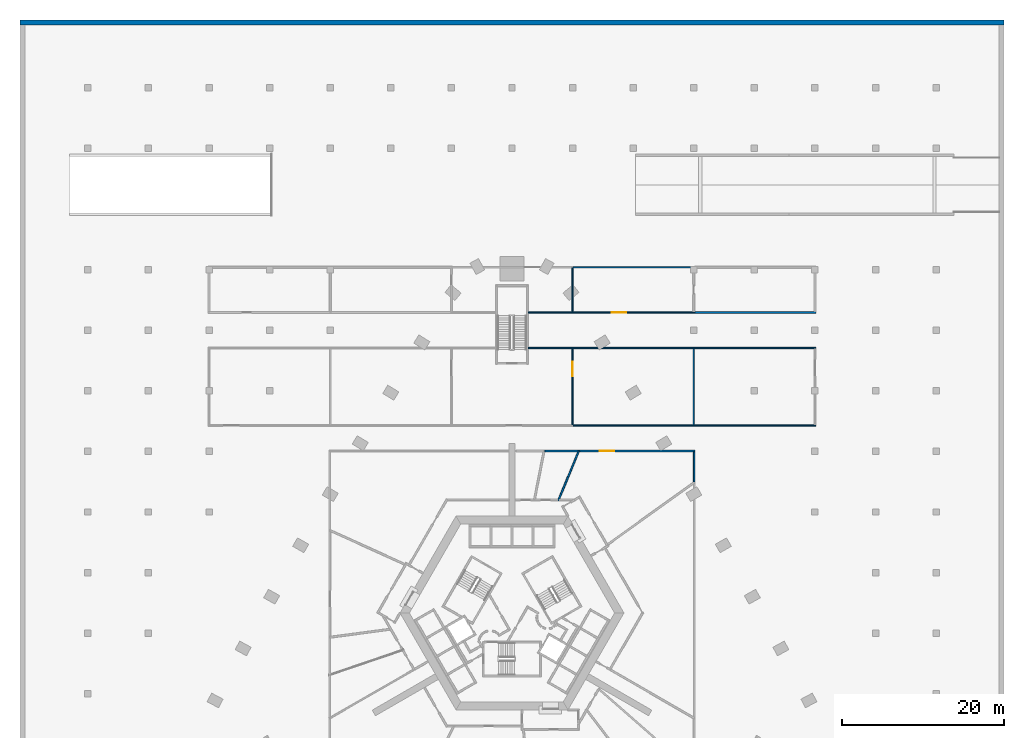
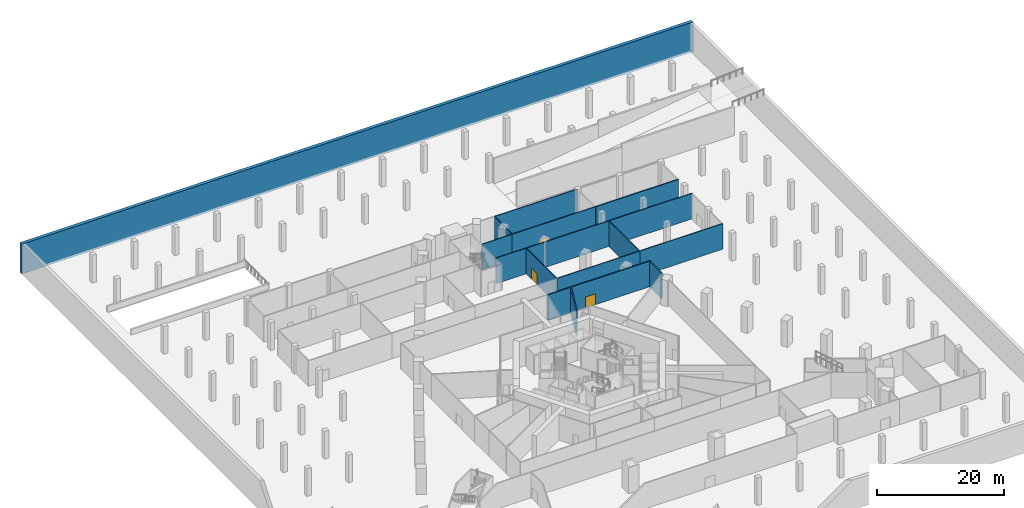
# One storey, part 12 of 20: 17 walls, 3 doors, 3 openings.
"""IFC4 building model written with IfcOpenShell, lengths in metres."""

import ifcopenshell
import ifcopenshell.guid

model = None  # the IFC model being written
_history = None  # IfcOwnerHistory: only IFC2X3 demands one
_inside = {}  # id of a spatial element -> (the spatial element, [elements in it])
_under = {}  # id of a project, library or spatial element -> (it, [spatial elements below it])
_declared = {}  # id of a project -> (the project, [libraries it declares])
_typed = {}  # id of a type object -> (the type object, [elements of that type])
_made_of = {}  # id of a material, layer set ... -> (it, [elements and type objects made of it])


def new_model(schema):
    """Start an empty IFC model of exactly this schema.

    Asked for "IFC4X3", IfcOpenShell would pick the latest addendum, in which some entities
    have other attributes; the version numbers below select the first issue.
    IFC2X3 requires an IfcOwnerHistory on every rooted entity: one is made here for all.
    """
    global model, _history
    if schema == "IFC4X3":
        model = ifcopenshell.file(schema_version=(4, 3, 0, 0))
    else:
        model = ifcopenshell.file(schema=schema)
    _inside.clear()
    _under.clear()
    _declared.clear()
    _typed.clear()
    _made_of.clear()
    _history = None
    if model.schema == "IFC2X3":
        org = make("IfcOrganization", Name="unknown")
        user = make(
            "IfcPersonAndOrganization",
            ThePerson=make("IfcPerson", FamilyName="unknown"),
            TheOrganization=org,
        )
        app = make(
            "IfcApplication",
            ApplicationDeveloper=org,
            Version="unknown",
            ApplicationFullName="unknown",
            ApplicationIdentifier="unknown",
        )
        _history = make(
            "IfcOwnerHistory",
            OwningUser=user,
            OwningApplication=app,
            ChangeAction="ADDED",
            CreationDate=0,
        )
    return model


def make(cls, **values):
    """One entity of the class cls with the attributes given. An attribute that is None is left unset."""
    return model.create_entity(
        cls, **{name: value for name, value in values.items() if value is not None}
    )


def rooted(cls, **values):
    """An entity with a GlobalId (a new one), such as an element, a storey or a relation."""
    return make(cls, GlobalId=ifcopenshell.guid.new(), OwnerHistory=_history, **values)


def si_unit(unit_type, name, prefix=None):
    """IfcSIUnit, for example si_unit("LENGTHUNIT", "METRE", prefix="MILLI")."""
    return make("IfcSIUnit", UnitType=unit_type, Prefix=prefix, Name=name)


def assignment(units):
    """IfcUnitAssignment: the units of a project."""
    return None if units is None else make("IfcUnitAssignment", Units=units)


def point(xyz):
    """IfcCartesianPoint."""
    return None if xyz is None else make("IfcCartesianPoint", Coordinates=xyz)


def direction(xyz):
    """IfcDirection."""
    return None if xyz is None else make("IfcDirection", DirectionRatios=xyz)


def frame(location, z_axis=None, x_axis=None):
    """IfcAxis2Placement3D, a coordinate frame: its origin and axes. An axis left out is left unset."""
    return make(
        "IfcAxis2Placement3D",
        Location=point(location),
        Axis=direction(z_axis),
        RefDirection=direction(x_axis),
    )


def frame_2d(location, x_axis=None):
    """IfcAxis2Placement2D, a coordinate frame in the plane: its origin and x axis."""
    return make(
        "IfcAxis2Placement2D", Location=point(location), RefDirection=direction(x_axis)
    )


def origin():
    """The frame at (0, 0, 0) with its axes left unset."""
    return frame((0.0, 0.0, 0.0))


def place(relative_to, where):
    """IfcLocalPlacement: puts the frame where relative to a parent placement (None: the world)."""
    return make(
        "IfcLocalPlacement", PlacementRelTo=relative_to, RelativePlacement=where
    )


def context(
    kind, dimensions, precision=None, world=None, true_north=None, identifier=None
):
    """IfcGeometricRepresentationContext, for example the 3D "Model" context."""
    return make(
        "IfcGeometricRepresentationContext",
        ContextIdentifier=identifier,
        ContextType=kind,
        CoordinateSpaceDimension=dimensions,
        Precision=precision,
        WorldCoordinateSystem=world,
        TrueNorth=true_north,
    )


def subcontext(parent, identifier, kind, view, scale=None):
    """IfcGeometricRepresentationSubContext, for example "Body" below "Model"."""
    return make(
        "IfcGeometricRepresentationSubContext",
        ContextIdentifier=identifier,
        ContextType=kind,
        ParentContext=parent,
        TargetScale=scale,
        TargetView=view,
    )


def project(units=None, contexts=None):
    """IfcProject with its units and contexts."""
    return rooted(
        "IfcProject",
        Name="project",
        RepresentationContexts=contexts,
        UnitsInContext=assignment(units),
    )


def spatial(cls, under=None, at=None, **own):
    """A site, building, storey or space (cls), placed at a placement, below another one or the project."""
    s = rooted(cls, ObjectPlacement=at, **own)
    if under is not None:
        _under.setdefault(under.id(), (under, []))[1].append(s)
    return s


def polyline(points):
    """IfcPolyline through the points."""
    return make("IfcPolyline", Points=[point(p) for p in points])


def profile(cls, at=None, kind="AREA", **sizes):
    """A parametric profile (cls). Its sizes go by their IFC names, for example OverallWidth=200.0."""
    return make(cls, ProfileType=kind, Position=at, **sizes)


def rectangle(**sizes):
    """IfcRectangleProfileDef."""
    return profile("IfcRectangleProfileDef", **sizes)


def outline(outer, holes=None, kind="AREA"):
    """IfcArbitraryClosedProfileDef: a profile drawn as a closed curve; with holes, ...WithVoids."""
    if holes is None:
        return make("IfcArbitraryClosedProfileDef", ProfileType=kind, OuterCurve=outer)
    return make(
        "IfcArbitraryProfileDefWithVoids",
        ProfileType=kind,
        OuterCurve=outer,
        InnerCurves=holes,
    )


def extrude(swept, where, along, depth):
    """IfcExtrudedAreaSolid: the profile swept, set in the frame where, extruded along a direction by depth."""
    return make(
        "IfcExtrudedAreaSolid",
        SweptArea=swept,
        Position=where,
        ExtrudedDirection=direction(along),
        Depth=depth,
    )


def shape(context_of_items, identifier, shape_type, items):
    """IfcShapeRepresentation: the items that make up one representation, for example the "Body"."""
    return make(
        "IfcShapeRepresentation",
        ContextOfItems=context_of_items,
        RepresentationIdentifier=identifier,
        RepresentationType=shape_type,
        Items=items,
    )


def material(Name=None, Category=None):
    """IfcMaterial."""
    return make("IfcMaterial", Name=Name, Category=Category)


def layer(
    of_material, thickness, ventilated=None, Name=None, Category=None, Priority=None
):
    """IfcMaterialLayer: one layer of a wall or slab, of a material (None: an air gap)."""
    return make(
        "IfcMaterialLayer",
        Material=of_material,
        LayerThickness=thickness,
        IsVentilated=ventilated,
        Name=Name,
        Category=Category,
        Priority=Priority,
    )


def layer_set(layers, Name=None):
    """IfcMaterialLayerSet."""
    return make("IfcMaterialLayerSet", MaterialLayers=layers, LayerSetName=Name)


def made_of(thing, what):
    """Note that an element or type object is made of a material, layer set ...; save() writes the relation."""
    if what is not None:
        _made_of.setdefault(what.id(), (what, []))[1].append(thing)
    return thing


def type_object(cls, material=None, **own):
    """A type object (cls), such as IfcWallType, which elements share."""
    return made_of(rooted(cls, **own), material)


def element(
    cls,
    number,
    at=None,
    inside=None,
    cuts=None,
    type_object=None,
    material=None,
    context=None,
    identifier="Body",
    shape_type=None,
    held_by="IfcProductDefinitionShape",
    body=None,
    shapes=None,
    **own,
):
    """One element of the class cls, such as IfcWall. Its Tag is "e" and its number.

    at: its placement. inside: the storey or other place that contains it. cuts: it is an
    opening in that element (IfcRelVoidsElement). A single representation is given by context,
    identifier, shape_type and body (its items); several are given by shapes. held_by: the class
    of the entity that holds the representations. save() writes the other relations.
    """
    e = rooted(cls, Tag="e%d" % number, ObjectPlacement=at, **own)
    if body is not None:
        shapes = [shape(context, identifier, shape_type, body)]
    if shapes is not None:
        e.Representation = make(held_by, Representations=shapes)
    if inside is not None:
        _inside.setdefault(inside.id(), (inside, []))[1].append(e)
    if cuts is not None:
        rooted(
            "IfcRelVoidsElement", RelatingBuildingElement=cuts, RelatedOpeningElement=e
        )
    if type_object is not None:
        _typed.setdefault(type_object.id(), (type_object, []))[1].append(e)
    return made_of(e, material)


def fill(opening, filler):
    """IfcRelFillsElement: the door or window that sits in an opening."""
    return rooted(
        "IfcRelFillsElement",
        RelatingOpeningElement=opening,
        RelatedBuildingElement=filler,
    )


def aggregate(whole, parts):
    """IfcRelAggregates: a whole, such as a stair, and the parts it consists of."""
    return rooted("IfcRelAggregates", RelatingObject=whole, RelatedObjects=parts)


def save(model, path):
    """Write the relations noted so far, then the file.

    IfcRelAggregates (storeys below a building ...), IfcRelContainedInSpatialStructure (elements
    in a storey), IfcRelDefinesByType, IfcRelAssociatesMaterial and IfcRelDeclares: one each for
    every whole, place, type object, material and project.
    """
    for whole, parts in _under.values():
        aggregate(whole, parts)
    for where, things in _inside.values():
        rooted(
            "IfcRelContainedInSpatialStructure",
            RelatedElements=things,
            RelatingStructure=where,
        )
    for kind, things in _typed.values():
        rooted("IfcRelDefinesByType", RelatedObjects=things, RelatingType=kind)
    for what, things in _made_of.values():
        rooted("IfcRelAssociatesMaterial", RelatedObjects=things, RelatingMaterial=what)
    for by, libraries in _declared.values():
        rooted("IfcRelDeclares", RelatingContext=by, RelatedDefinitions=libraries)
    model.write(path)


model = new_model("IFC4")

# Units and contexts
model_context = context("Model", 3, precision=1e-05, world=origin(), true_north=direction((0.0, 1.0)))
body_context = subcontext(model_context, "Body", "Model", "MODEL_VIEW")
ifc_project = project(units=[si_unit("LENGTHUNIT", "METRE"), si_unit("AREAUNIT", "SQUARE_METRE"), si_unit("VOLUMEUNIT", "CUBIC_METRE"), si_unit("PLANEANGLEUNIT", "RADIAN"), si_unit("MASSUNIT", "GRAM", prefix="KILO")], contexts=[model_context])

# Site, building, storey
site_placement = place(None, origin())
site = spatial("IfcSite", under=ifc_project, at=site_placement, CompositionType="ELEMENT")
building_placement = place(site_placement, origin())
building = spatial("IfcBuilding", under=site, at=building_placement, Name="Entoto Arch Interchange Tower", CompositionType="ELEMENT")
storey_placement = place(building_placement, frame((0.0, 0.0, -5.5)))
storey = spatial("IfcBuildingStorey", under=building, at=storey_placement, Name="B1", CompositionType="ELEMENT", Elevation=-5.5)

# Walls
ifc_material_1 = material(Name="Concrete C40/50", Category="concrete")
ifc_layer_1 = layer(ifc_material_1, 0.60009765625)
ifc_layer_set_1 = layer_set([ifc_layer_1], Name="Concrete C40/50")
wall_type_1 = type_object("IfcWallType", Name="Basement retaining wall 600 C40/50", PredefinedType="SOLIDWALL", material=ifc_layer_set_1)
wall_1_placement = place(storey_placement, frame((0.0, 0.0, -0.419921875)))
element("IfcWall", 1, at=wall_1_placement, inside=storey, type_object=wall_type_1, Name="Retaining wall B1", PredefinedType="SOLIDWALL", context=body_context, shape_type="SweptSolid", body=[
    extrude(outline(polyline([(60.89990234375, 75.300048828125), (60.89990234375, 75.89990234375), (-60.89990234375, 75.89990234375), (-60.89990234375, 75.300048828125), (60.89990234375, 75.300048828125)])), origin(), (0.0, 0.0, 1.0), 5.719970703125),
])
ifc_material_2 = material(Name="Gypsum board partition on steel studs", Category="steel")
ifc_layer_2 = layer(ifc_material_2, 0.14990234375)
ifc_layer_set_2 = layer_set([ifc_layer_2], Name="Gypsum board partition on steel studs")
wall_type_2 = type_object("IfcWallType", Name="PARTITION 150", PredefinedType="PARTITIONING", material=ifc_layer_set_2)
wall_2_placement = place(storey_placement, frame((2.0, 35.300048828125, 0.0), z_axis=(0.0, 0.0, 1.0), x_axis=(1.0, 0.0, 0.0)))
element("IfcWall", 2, at=wall_2_placement, inside=storey, type_object=wall_type_2, Name="wall:B1:p083", PredefinedType="PARTITIONING", context=body_context, shape_type="SweptSolid", body=[
    extrude(rectangle(XDim=5.425048828125, YDim=0.14990234375, at=frame_2d((2.71240234375, 0.0))), origin(), (0.0, 0.0, 1.0), 4.89990234375),
])
wall_3_placement = place(storey_placement, frame((7.425048828125, 35.300048828125, 0.0), z_axis=(0.0, 0.0, 1.0), x_axis=(1.0, 0.0, 0.0)))
element("IfcWall", 3, at=wall_3_placement, inside=storey, type_object=wall_type_2, Name="wall:B1:p085", PredefinedType="PARTITIONING", context=body_context, shape_type="SweptSolid", body=[
    extrude(rectangle(XDim=15.14990234375, YDim=0.14990234375, at=frame_2d((7.574951171875, 0.0))), origin(), (0.0, 0.0, 1.0), 4.89990234375),
])
for number, where, z_axis, x_axis, name in (
    (4, (22.574951171875, 25.699951171875, 0.0), (0.0, 0.0, 1.0), (-1.0, 0.0, 0.0), "wall:B1:p086"),
    (5, (22.574951171875, 35.300048828125, 0.0), (0.0, 0.0, 1.0), (1.0, 0.0, 0.0), "wall:B1:p087"),
    (6, (37.574951171875, 25.699951171875, 0.0), (0.0, 0.0, 1.0), (-1.0, 0.0, 0.0), "wall:B1:p089"),
):
    element("IfcWall", number, at=place(storey_placement, frame(where, z_axis=z_axis, x_axis=x_axis)), inside=storey, type_object=wall_type_2, Name=name, PredefinedType="PARTITIONING", context=body_context, shape_type="SweptSolid", body=[
        extrude(rectangle(XDim=15.0, YDim=0.14990234375, at=frame_2d((7.5, 0.0))), origin(), (0.0, 0.0, 1.0), 4.89990234375),
    ])
wall_4_placement = place(storey_placement, frame((7.425048828125, 39.699951171875, 0.0), z_axis=(0.0, 0.0, 1.0), x_axis=(-1.0, 0.0, 0.0)))
element("IfcWall", 7, at=wall_4_placement, inside=storey, type_object=wall_type_2, Name="wall:B1:p096", PredefinedType="PARTITIONING", context=body_context, shape_type="SweptSolid", body=[
    extrude(rectangle(XDim=5.425048828125, YDim=0.14990234375, at=frame_2d((2.71240234375, 0.0))), origin(), (0.0, 0.0, 1.0), 4.89990234375),
])
wall_5_placement = place(storey_placement, frame((7.574951171875, 45.300048828125, 0.0), z_axis=(0.0, 0.0, 1.0), x_axis=(1.0, 0.0, 0.0)))
element("IfcWall", 8, at=wall_5_placement, inside=storey, type_object=wall_type_2, Name="wall:B1:p098", PredefinedType="PARTITIONING", context=body_context, shape_type="SweptSolid", body=[
    extrude(rectangle(XDim=15.025146484375, YDim=0.14990234375, at=frame_2d((7.5126953125, 0.0))), origin(), (0.0, 0.0, 1.0), 4.89990234375),
])

# Wall, opening, door
wall_6_placement = place(storey_placement, frame((22.60009765625, 39.699951171875, 0.0), z_axis=(0.0, 0.0, 1.0), x_axis=(-1.0, 0.0, 0.0)))
wall_6 = element("IfcWall", 9, at=wall_6_placement, inside=storey, type_object=wall_type_2, Name="wall:B1:p099", PredefinedType="PARTITIONING", context=body_context, shape_type="SweptSolid", body=[
    extrude(rectangle(XDim=15.175048828125, YDim=0.14990234375, at=frame_2d((7.58740234375, 0.0))), origin(), (0.0, 0.0, 1.0), 4.89990234375),
])
opening_1_placement = place(wall_6_placement, frame((8.429931640625, 0.0, 0.0)))
opening_1 = element("IfcOpeningElement", 10, at=opening_1_placement, cuts=wall_6, Name="Opening B1-D37", PredefinedType="OPENING", context=body_context, shape_type="SweptSolid", body=[
    extrude(rectangle(XDim=1.800048828125, YDim=2.10009765625, at=frame_2d((0.89990234375, 1.050048828125))), frame((0.0, 0.0849609375, 0.0), z_axis=(0.0, -1.0, 0.0), x_axis=(1.0, 0.0, 0.0)), (0.0, 0.0, 1.0), 0.169921875),
])
ifc_material_3 = material(Name="Timber door leaf in Steel S235 frame", Category="steel")
door_type = type_object("IfcDoorType", Name="DOOR DD-18 1800x2100", OperationType="DOUBLE_DOOR_SINGLE_SWING", PredefinedType="DOOR", material=ifc_material_3)
door_1_placement = place(opening_1_placement, origin())
door_1 = element("IfcDoor", 11, at=door_1_placement, inside=storey, type_object=door_type, Name="door:B1:37", OperationType="DOUBLE_DOOR_SINGLE_SWING", OverallHeight=2.10009765625, OverallWidth=1.800048828125, PredefinedType="DOOR", context=body_context, shape_type="SweptSolid", body=[
    extrude(rectangle(XDim=1.800048828125, YDim=2.10009765625, at=frame_2d((0.89990234375, 1.050048828125))), frame((0.0, 0.02490234375, 0.0), z_axis=(0.0, -1.0, 0.0), x_axis=(1.0, 0.0, 0.0)), (0.0, 0.0, 1.0), 0.050048828125),
])
fill(opening_1, door_1)

wall_7_placement = place(storey_placement, frame((7.5, 35.300048828125, 0.0), z_axis=(0.0, 0.0, 1.0), x_axis=(0.0, -1.0, 0.0)))
wall_7 = element("IfcWall", 12, at=wall_7_placement, inside=storey, type_object=wall_type_2, Name="wall:B1:p125", PredefinedType="PARTITIONING", context=body_context, shape_type="SweptSolid", body=[
    extrude(rectangle(XDim=9.525146484375, YDim=0.14990234375, at=frame_2d((4.7626953125, 0.0))), origin(), (0.0, 0.0, 1.0), 4.89990234375),
])
opening_2_placement = place(wall_7_placement, frame((1.719970703125, 0.0, 0.0)))
opening_2 = element("IfcOpeningElement", 13, at=opening_2_placement, cuts=wall_7, Name="Opening B1-D32", PredefinedType="OPENING", context=body_context, shape_type="SweptSolid", body=[
    extrude(rectangle(XDim=1.800048828125, YDim=2.10009765625, at=frame_2d((0.89990234375, 1.050048828125))), frame((0.0, 0.0849609375, 0.0), z_axis=(0.0, -1.0, 0.0), x_axis=(1.0, 0.0, 0.0)), (0.0, 0.0, 1.0), 0.169921875),
])
door_2_placement = place(opening_2_placement, origin())
door_2 = element("IfcDoor", 14, at=door_2_placement, inside=storey, type_object=door_type, Name="door:B1:32", OperationType="DOUBLE_DOOR_SINGLE_SWING", OverallHeight=2.10009765625, OverallWidth=1.800048828125, PredefinedType="DOOR", context=body_context, shape_type="SweptSolid", body=[
    extrude(rectangle(XDim=1.800048828125, YDim=2.10009765625, at=frame_2d((0.89990234375, 1.050048828125))), frame((0.0, 0.02490234375, 0.0), z_axis=(0.0, -1.0, 0.0), x_axis=(1.0, 0.0, 0.0)), (0.0, 0.0, 1.0), 0.050048828125),
])
fill(opening_2, door_2)

# Walls
wall_8_placement = place(storey_placement, frame((22.5, 35.22509765625, 0.0), z_axis=(0.0, 0.0, 1.0), x_axis=(0.0, -1.0, 0.0)))
element("IfcWall", 15, at=wall_8_placement, inside=storey, type_object=wall_type_2, Name="wall:B1:p126", PredefinedType="PARTITIONING", context=body_context, shape_type="SweptSolid", body=[
    extrude(rectangle(XDim=9.4501953125, YDim=0.14990234375, at=frame_2d((4.72509765625, 0.0))), origin(), (0.0, 0.0, 1.0), 4.89990234375),
])
wall_9_placement = place(storey_placement, frame((7.5, 45.22509765625, 0.0), z_axis=(0.0, 0.0, 1.0), x_axis=(0.0, -1.0, 0.0)))
element("IfcWall", 16, at=wall_9_placement, inside=storey, type_object=wall_type_2, Name="wall:B1:p129", PredefinedType="PARTITIONING", context=body_context, shape_type="SweptSolid", body=[
    extrude(rectangle(XDim=5.525146484375, YDim=0.14990234375, at=frame_2d((2.7626953125, 0.0))), origin(), (0.0, 0.0, 1.0), 4.89990234375),
])

# Wall, opening, door
ifc_layer_3 = layer(ifc_material_2, 0.199951171875)
ifc_layer_set_3 = layer_set([ifc_layer_3], Name="Gypsum board partition on steel studs")
wall_type_3 = type_object("IfcWallType", Name="PARTITION 200", PredefinedType="PARTITIONING", material=ifc_layer_set_3)
wall_10_placement = place(storey_placement, frame((8.1650390625, 22.550048828125, 0.0), z_axis=(0.0, 0.0, 1.0), x_axis=(1.0, 0.0, 0.0)))
wall_10 = element("IfcWall", 17, at=wall_10_placement, inside=storey, type_object=wall_type_3, Name="wall:B1:p039", PredefinedType="PARTITIONING", context=body_context, shape_type="SweptSolid", body=[
    extrude(rectangle(XDim=14.48486328125, YDim=0.199951171875, at=frame_2d((7.242431640625, 0.0))), origin(), (0.0, 0.0, 1.0), 4.89990234375),
])
opening_3_placement = place(wall_10_placement, frame((2.677978515625, 0.0, 0.0)))
opening_3 = element("IfcOpeningElement", 18, at=opening_3_placement, cuts=wall_10, Name="Opening B1-D40", PredefinedType="OPENING", context=body_context, shape_type="SweptSolid", body=[
    extrude(rectangle(XDim=1.800048828125, YDim=2.10009765625, at=frame_2d((0.89990234375, 1.050048828125))), frame((0.0, 0.10986328125, 0.0), z_axis=(0.0, -1.0, 0.0), x_axis=(1.0, 0.0, 0.0)), (0.0, 0.0, 1.0), 0.219970703125),
])
door_3_placement = place(opening_3_placement, origin())
door_3 = element("IfcDoor", 19, at=door_3_placement, inside=storey, type_object=door_type, Name="door:B1:40", OperationType="DOUBLE_DOOR_SINGLE_SWING", OverallHeight=2.10009765625, OverallWidth=1.800048828125, PredefinedType="DOOR", context=body_context, shape_type="SweptSolid", body=[
    extrude(rectangle(XDim=1.800048828125, YDim=2.10009765625, at=frame_2d((0.89990234375, 1.050048828125))), frame((0.0, 0.02490234375, 0.0), z_axis=(0.0, -1.0, 0.0), x_axis=(1.0, 0.0, 0.0)), (0.0, 0.0, 1.0), 0.050048828125),
])
fill(opening_3, door_3)

# Walls
wall_11_placement = place(storey_placement, frame((22.550048828125, 22.449951171875, 0.0), z_axis=(0.0, 0.0, 1.0), x_axis=(0.0, -1.0, 0.0)))
element("IfcWall", 20, at=wall_11_placement, inside=storey, type_object=wall_type_3, Name="wall:B1:p040", PredefinedType="PARTITIONING", context=body_context, shape_type="SweptSolid", body=[
    extrude(rectangle(XDim=3.70703125, YDim=0.199951171875, at=frame_2d((1.853515625, 0.0))), origin(), (0.0, 0.0, 1.0), 4.89990234375),
])
wall_12_placement = place(storey_placement, frame((5.73291015625, 16.407958984375, 0.0), z_axis=(0.0, 0.0, 1.0), x_axis=(0.381121284815, 0.924525049018, 0.0)))
element("IfcWall", 21, at=wall_12_placement, inside=storey, type_object=wall_type_3, Name="wall:B1:p041", PredefinedType="PARTITIONING", context=body_context, shape_type="SweptSolid", body=[
    extrude(rectangle(XDim=6.6435546875, YDim=0.199951171875, at=frame_2d((3.32177734375, 0.0))), origin(), (0.0, 0.0, 1.0), 4.89990234375),
])
wall_13_placement = place(storey_placement, frame((4.070068359375, 22.550048828125, 0.0), z_axis=(0.0, 0.0, 1.0), x_axis=(1.0, 0.0, 0.0)))
element("IfcWall", 22, at=wall_13_placement, inside=storey, type_object=wall_type_3, Name="wall:B1:p043", PredefinedType="PARTITIONING", context=body_context, shape_type="SweptSolid", body=[
    extrude(rectangle(XDim=4.094970703125, YDim=0.199951171875, at=frame_2d((2.04736328125, 0.0))), origin(), (0.0, 0.0, 1.0), 4.89990234375),
])
wall_14_placement = place(storey_placement, frame((37.60009765625, 39.699951171875, 0.0), z_axis=(0.0, 0.0, 1.0), x_axis=(-1.0, 0.0, 0.0)))
element("IfcWall", 23, at=wall_14_placement, inside=storey, type_object=wall_type_3, Name="wall:B1:p102", PredefinedType="PARTITIONING", context=body_context, shape_type="SweptSolid", body=[
    extrude(rectangle(XDim=15.0, YDim=0.199951171875, at=frame_2d((7.5, 0.0))), origin(), (0.0, 0.0, 1.0), 4.89990234375),
])

save(model, "model.ifc")
